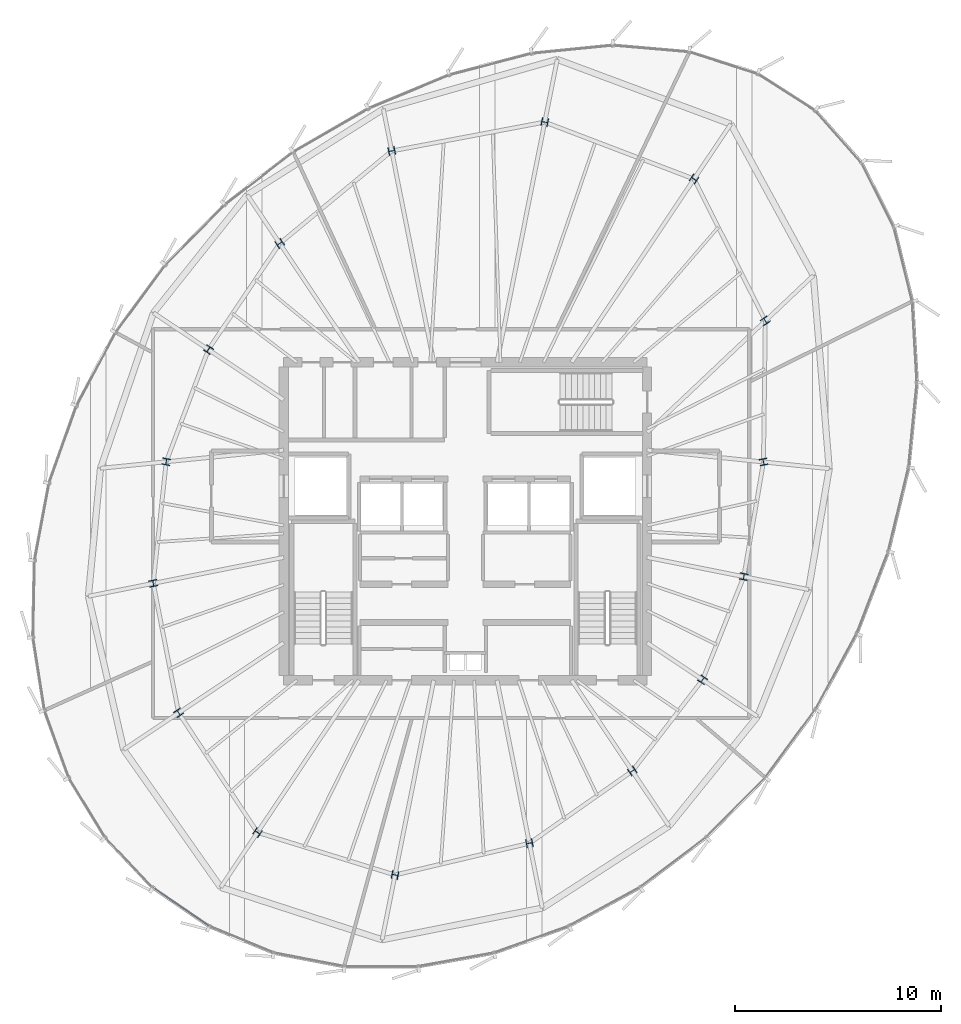
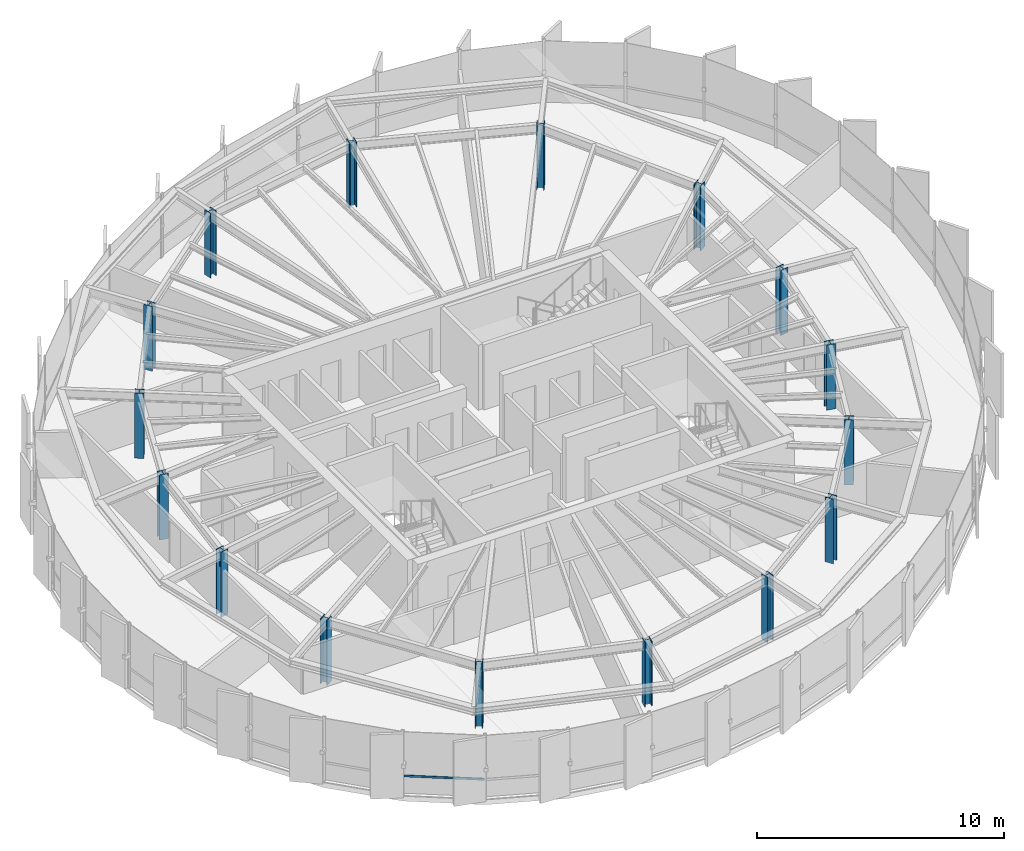
# One storey, part 1 of 33: 16 columns, 1 member, 1 element without a shape of its own.
"""IFC4 building model written with IfcOpenShell, lengths in metres."""

import ifcopenshell
import ifcopenshell.guid

model = None  # the IFC model being written
_history = None  # IfcOwnerHistory: only IFC2X3 demands one
_inside = {}  # id of a spatial element -> (the spatial element, [elements in it])
_under = {}  # id of a project, library or spatial element -> (it, [spatial elements below it])
_declared = {}  # id of a project -> (the project, [libraries it declares])
_typed = {}  # id of a type object -> (the type object, [elements of that type])
_made_of = {}  # id of a material, layer set ... -> (it, [elements and type objects made of it])


def new_model(schema):
    """Start an empty IFC model of exactly this schema.

    Asked for "IFC4X3", IfcOpenShell would pick the latest addendum, in which some entities
    have other attributes; the version numbers below select the first issue.
    IFC2X3 requires an IfcOwnerHistory on every rooted entity: one is made here for all.
    """
    global model, _history
    if schema == "IFC4X3":
        model = ifcopenshell.file(schema_version=(4, 3, 0, 0))
    else:
        model = ifcopenshell.file(schema=schema)
    _inside.clear()
    _under.clear()
    _declared.clear()
    _typed.clear()
    _made_of.clear()
    _history = None
    if model.schema == "IFC2X3":
        org = make("IfcOrganization", Name="unknown")
        user = make(
            "IfcPersonAndOrganization",
            ThePerson=make("IfcPerson", FamilyName="unknown"),
            TheOrganization=org,
        )
        app = make(
            "IfcApplication",
            ApplicationDeveloper=org,
            Version="unknown",
            ApplicationFullName="unknown",
            ApplicationIdentifier="unknown",
        )
        _history = make(
            "IfcOwnerHistory",
            OwningUser=user,
            OwningApplication=app,
            ChangeAction="ADDED",
            CreationDate=0,
        )
    return model


def make(cls, **values):
    """One entity of the class cls with the attributes given. An attribute that is None is left unset."""
    return model.create_entity(
        cls, **{name: value for name, value in values.items() if value is not None}
    )


def rooted(cls, **values):
    """An entity with a GlobalId (a new one), such as an element, a storey or a relation."""
    return make(cls, GlobalId=ifcopenshell.guid.new(), OwnerHistory=_history, **values)


def si_unit(unit_type, name, prefix=None):
    """IfcSIUnit, for example si_unit("LENGTHUNIT", "METRE", prefix="MILLI")."""
    return make("IfcSIUnit", UnitType=unit_type, Prefix=prefix, Name=name)


def assignment(units):
    """IfcUnitAssignment: the units of a project."""
    return None if units is None else make("IfcUnitAssignment", Units=units)


def point(xyz):
    """IfcCartesianPoint."""
    return None if xyz is None else make("IfcCartesianPoint", Coordinates=xyz)


def direction(xyz):
    """IfcDirection."""
    return None if xyz is None else make("IfcDirection", DirectionRatios=xyz)


def frame(location, z_axis=None, x_axis=None):
    """IfcAxis2Placement3D, a coordinate frame: its origin and axes. An axis left out is left unset."""
    return make(
        "IfcAxis2Placement3D",
        Location=point(location),
        Axis=direction(z_axis),
        RefDirection=direction(x_axis),
    )


def frame_2d(location, x_axis=None):
    """IfcAxis2Placement2D, a coordinate frame in the plane: its origin and x axis."""
    return make(
        "IfcAxis2Placement2D", Location=point(location), RefDirection=direction(x_axis)
    )


def origin():
    """The frame at (0, 0, 0) with its axes left unset."""
    return frame((0.0, 0.0, 0.0))


def origin_2d():
    """The frame at (0, 0) in the plane with its x axis left unset."""
    return frame_2d((0.0, 0.0))


def place(relative_to, where):
    """IfcLocalPlacement: puts the frame where relative to a parent placement (None: the world)."""
    return make(
        "IfcLocalPlacement", PlacementRelTo=relative_to, RelativePlacement=where
    )


def context(
    kind, dimensions, precision=None, world=None, true_north=None, identifier=None
):
    """IfcGeometricRepresentationContext, for example the 3D "Model" context."""
    return make(
        "IfcGeometricRepresentationContext",
        ContextIdentifier=identifier,
        ContextType=kind,
        CoordinateSpaceDimension=dimensions,
        Precision=precision,
        WorldCoordinateSystem=world,
        TrueNorth=true_north,
    )


def subcontext(parent, identifier, kind, view, scale=None):
    """IfcGeometricRepresentationSubContext, for example "Body" below "Model"."""
    return make(
        "IfcGeometricRepresentationSubContext",
        ContextIdentifier=identifier,
        ContextType=kind,
        ParentContext=parent,
        TargetScale=scale,
        TargetView=view,
    )


def project(units=None, contexts=None):
    """IfcProject with its units and contexts."""
    return rooted(
        "IfcProject",
        Name="project",
        RepresentationContexts=contexts,
        UnitsInContext=assignment(units),
    )


def spatial(cls, under=None, at=None, **own):
    """A site, building, storey or space (cls), placed at a placement, below another one or the project."""
    s = rooted(cls, ObjectPlacement=at, **own)
    if under is not None:
        _under.setdefault(under.id(), (under, []))[1].append(s)
    return s


def profile(cls, at=None, kind="AREA", **sizes):
    """A parametric profile (cls). Its sizes go by their IFC names, for example OverallWidth=200.0."""
    return make(cls, ProfileType=kind, Position=at, **sizes)


def hollow_rectangle(**sizes):
    """IfcRectangleHollowProfileDef."""
    return profile("IfcRectangleHollowProfileDef", **sizes)


def i_section(**sizes):
    """IfcIShapeProfileDef."""
    return profile("IfcIShapeProfileDef", **sizes)


def extrude(swept, where, along, depth):
    """IfcExtrudedAreaSolid: the profile swept, set in the frame where, extruded along a direction by depth."""
    return make(
        "IfcExtrudedAreaSolid",
        SweptArea=swept,
        Position=where,
        ExtrudedDirection=direction(along),
        Depth=depth,
    )


def shape(context_of_items, identifier, shape_type, items):
    """IfcShapeRepresentation: the items that make up one representation, for example the "Body"."""
    return make(
        "IfcShapeRepresentation",
        ContextOfItems=context_of_items,
        RepresentationIdentifier=identifier,
        RepresentationType=shape_type,
        Items=items,
    )


def source(mapping_origin, context_of_items, identifier, shape_type, items):
    """IfcRepresentationMap: a shape defined once, which mapped items show again and again."""
    return make(
        "IfcRepresentationMap",
        MappingOrigin=mapping_origin,
        MappedRepresentation=shape(context_of_items, identifier, shape_type, items),
    )


def transform(
    local_origin,
    x_axis=None,
    y_axis=None,
    z_axis=None,
    scale=None,
    scale2=None,
    scale3=None,
    uniform=True,
):
    """IfcCartesianTransformationOperator3D, or its non-uniform kind. x_axis, y_axis, z_axis: its Axis1, 2, 3."""
    if uniform:
        return make(
            "IfcCartesianTransformationOperator3D",
            Axis1=direction(x_axis),
            Axis2=direction(y_axis),
            LocalOrigin=point(local_origin),
            Scale=scale,
            Axis3=direction(z_axis),
        )
    return make(
        "IfcCartesianTransformationOperator3DnonUniform",
        Axis1=direction(x_axis),
        Axis2=direction(y_axis),
        LocalOrigin=point(local_origin),
        Scale=scale,
        Axis3=direction(z_axis),
        Scale2=scale2,
        Scale3=scale3,
    )


def mapped(mapping_source, mapping_target):
    """IfcMappedItem: shows the shape of a source again, moved by a transform."""
    return make(
        "IfcMappedItem", MappingSource=mapping_source, MappingTarget=mapping_target
    )


def material(Name=None, Category=None):
    """IfcMaterial."""
    return make("IfcMaterial", Name=Name, Category=Category)


def layer(
    of_material, thickness, ventilated=None, Name=None, Category=None, Priority=None
):
    """IfcMaterialLayer: one layer of a wall or slab, of a material (None: an air gap)."""
    return make(
        "IfcMaterialLayer",
        Material=of_material,
        LayerThickness=thickness,
        IsVentilated=ventilated,
        Name=Name,
        Category=Category,
        Priority=Priority,
    )


def layer_set(layers, Name=None):
    """IfcMaterialLayerSet."""
    return make("IfcMaterialLayerSet", MaterialLayers=layers, LayerSetName=Name)


def material_profile(
    of_material, cross_section, Name=None, Category=None, Priority=None
):
    """IfcMaterialProfile: a cross section and its material."""
    return make(
        "IfcMaterialProfile",
        Name=Name,
        Material=of_material,
        Profile=cross_section,
        Priority=Priority,
        Category=Category,
    )


def profile_set(profiles, Name=None, composite=None):
    """IfcMaterialProfileSet."""
    return make(
        "IfcMaterialProfileSet",
        Name=Name,
        MaterialProfiles=profiles,
        CompositeProfile=composite,
    )


def made_of(thing, what):
    """Note that an element or type object is made of a material, layer set ...; save() writes the relation."""
    if what is not None:
        _made_of.setdefault(what.id(), (what, []))[1].append(thing)
    return thing


def type_object(cls, material=None, **own):
    """A type object (cls), such as IfcWallType, which elements share."""
    return made_of(rooted(cls, **own), material)


def element(
    cls,
    number,
    at=None,
    inside=None,
    cuts=None,
    type_object=None,
    material=None,
    context=None,
    identifier="Body",
    shape_type=None,
    held_by="IfcProductDefinitionShape",
    body=None,
    shapes=None,
    **own,
):
    """One element of the class cls, such as IfcWall. Its Tag is "e" and its number.

    at: its placement. inside: the storey or other place that contains it. cuts: it is an
    opening in that element (IfcRelVoidsElement). A single representation is given by context,
    identifier, shape_type and body (its items); several are given by shapes. held_by: the class
    of the entity that holds the representations. save() writes the other relations.
    """
    e = rooted(cls, Tag="e%d" % number, ObjectPlacement=at, **own)
    if body is not None:
        shapes = [shape(context, identifier, shape_type, body)]
    if shapes is not None:
        e.Representation = make(held_by, Representations=shapes)
    if inside is not None:
        _inside.setdefault(inside.id(), (inside, []))[1].append(e)
    if cuts is not None:
        rooted(
            "IfcRelVoidsElement", RelatingBuildingElement=cuts, RelatedOpeningElement=e
        )
    if type_object is not None:
        _typed.setdefault(type_object.id(), (type_object, []))[1].append(e)
    return made_of(e, material)


def aggregate(whole, parts):
    """IfcRelAggregates: a whole, such as a stair, and the parts it consists of."""
    return rooted("IfcRelAggregates", RelatingObject=whole, RelatedObjects=parts)


def save(model, path):
    """Write the relations noted so far, then the file.

    IfcRelAggregates (storeys below a building ...), IfcRelContainedInSpatialStructure (elements
    in a storey), IfcRelDefinesByType, IfcRelAssociatesMaterial and IfcRelDeclares: one each for
    every whole, place, type object, material and project.
    """
    for whole, parts in _under.values():
        aggregate(whole, parts)
    for where, things in _inside.values():
        rooted(
            "IfcRelContainedInSpatialStructure",
            RelatedElements=things,
            RelatingStructure=where,
        )
    for kind, things in _typed.values():
        rooted("IfcRelDefinesByType", RelatedObjects=things, RelatingType=kind)
    for what, things in _made_of.values():
        rooted("IfcRelAssociatesMaterial", RelatedObjects=things, RelatingMaterial=what)
    for by, libraries in _declared.values():
        rooted("IfcRelDeclares", RelatingContext=by, RelatedDefinitions=libraries)
    model.write(path)


model = new_model("IFC4")

# Units and contexts
model_context = context("Model", 3, precision=1e-05, world=origin(), true_north=direction((0.0, 1.0)))
body_context = subcontext(model_context, "Body", "Model", "MODEL_VIEW")
ifc_project = project(units=[si_unit("LENGTHUNIT", "METRE"), si_unit("AREAUNIT", "SQUARE_METRE"), si_unit("VOLUMEUNIT", "CUBIC_METRE"), si_unit("PLANEANGLEUNIT", "RADIAN"), si_unit("MASSUNIT", "GRAM", prefix="KILO"), si_unit("THERMODYNAMICTEMPERATUREUNIT", "KELVIN")], contexts=[model_context])

# Site, building, storey
site_placement = place(None, origin())
site = spatial("IfcSite", under=ifc_project, at=site_placement, CompositionType="ELEMENT")
building_placement = place(site_placement, origin())
building = spatial("IfcBuilding", under=site, at=building_placement, Name="Kethvar Cultural Tower", CompositionType="ELEMENT")
storey_placement = place(building_placement, frame((0.0, 0.0, 235.300048828125)))
storey = spatial("IfcBuildingStorey", under=building, at=storey_placement, Name="L61", CompositionType="ELEMENT", Elevation=235.300048828125)

# Columns
ifc_material_1 = material(Name="Steel S460M", Category="steel")
ifc_material_profile_1 = material_profile(ifc_material_1, i_section(OverallWidth=0.386962890625, OverallDepth=0.31591796875, WebThickness=0.0185546875, FlangeThickness=0.028076171875, FilletRadius=0.014892578125, at=origin_2d()), Name="Steel S460M — HD400x382")
ifc_profile_set_1 = profile_set([ifc_material_profile_1], Name="Steel S460M — HD400x382")
column_type = type_object("IfcColumnType", Name="COL-HD382", PredefinedType="COLUMN", material=ifc_profile_set_1)
shared_shape_1 = source(origin(), body_context, "Body", "SweptSolid", [
    extrude(i_section(OverallWidth=0.386962890625, OverallDepth=0.31591796875, WebThickness=0.0185546875, FlangeThickness=0.028076171875, FilletRadius=0.014892578125, at=origin_2d()), origin(), (0.0, 0.0, 1.0), 3.2099609375),
])
for number, where, z_axis, x_axis, name in (
    (1, (61.237060546875, 30.671630859375, 0.0), (0.0, 0.0, 1.0), (0.980785280403, 0.195090322016, 0.0), "L61 Mega-Column MC-01"),
    (2, (61.32568359375, 37.505859375, 0.0), (0.0, 0.0, 1.0), (0.831469612303, 0.55557023302, 0.0), "L61 Mega-Column MC-02"),
    (3, (57.875244140625, 44.375, 0.0), (0.0, 0.0, 1.0), (0.55557023302, 0.831469612303, 0.0), "L61 Mega-Column MC-03"),
    (4, (50.645263671875, 47.131591796875, 0.0), (0.0, 0.0, 1.0), (0.195090322016, 0.980785280403, 0.0), "L61 Mega-Column MC-04"),
    (5, (43.23291015625, 45.732421875, 0.0), (0.0, 0.0, 1.0), (-0.195090322016, 0.980785280403, 0.0), "L61 Mega-Column MC-05"),
    (6, (37.8095703125, 41.255126953125, 0.0), (0.0, 0.0, 1.0), (-0.55557023302, 0.831469612303, 0.0), "L61 Mega-Column MC-06"),
    (7, (34.35595703125, 36.114990234375, 0.0), (0.0, 0.0, 1.0), (-0.831469612303, 0.55557023302, 0.0), "L61 Mega-Column MC-07"),
    (8, (32.3125, 30.681884765625, 0.0), (0.0, 0.0, 1.0), (-0.980785280403, 0.195090322016, 0.0), "L61 Mega-Column MC-08"),
    (9, (31.68310546875, 24.79296875, 0.0), (0.0, 0.0, 1.0), (-0.980785280403, -0.195090322016, 0.0), "L61 Mega-Column MC-09"),
    (10, (32.912841796875, 18.52099609375, 0.0), (0.0, 0.0, 1.0), (-0.831469612303, -0.55557023302, 0.0), "L61 Mega-Column MC-10"),
    (11, (36.731201171875, 12.73095703125, 0.0), (0.0, 0.0, 1.0), (-0.55557023302, -0.831469612303, 0.0), "L61 Mega-Column MC-11"),
    (12, (43.392822265625, 10.67138671875, 0.0), (0.0, 0.0, 1.0), (-0.195090322016, -0.980785280403, 0.0), "L61 Mega-Column MC-12"),
    (13, (49.901611328125, 12.206787109375, 0.0), (0.0, 0.0, 1.0), (0.195090322016, -0.980785280403, 0.0), "L61 Mega-Column MC-13"),
    (14, (54.885009765625, 15.7001953125, 0.0), (0.0, 0.0, 1.0), (0.55557023302, -0.831469612303, 0.0), "L61 Mega-Column MC-14"),
    (15, (58.287109375, 20.12451171875, 0.0), (0.0, 0.0, 1.0), (0.831469612303, -0.55557023302, 0.0), "L61 Mega-Column MC-15"),
    (16, (60.28369140625, 25.117919921875, 0.0), (0.0, 0.0, 1.0), (0.980785280403, -0.195090322016, 0.0), "L61 Mega-Column MC-16"),
):
    element("IfcColumn", number, at=place(storey_placement, frame(where, z_axis=z_axis, x_axis=x_axis)), inside=storey, type_object=column_type, Name=name, PredefinedType="COLUMN", context=body_context, shape_type="MappedRepresentation", body=[
        mapped(shared_shape_1, transform((0.0, 0.0, 0.0), scale=1.0)),
    ])

# Curtain wall, member
ifc_material_2 = material(Name="Aluminium 6063-T6", Category="aluminium")
ifc_layer = layer(ifc_material_2, 0.179931640625, Name="Aluminium 6063-T6", Category="aluminium")
ifc_layer_set = layer_set([ifc_layer], Name="Aluminium 6063-T6 (180 mm)")
curtain_wall_type = type_object("IfcCurtainWallType", Name="CW-SYS-05-Z56", PredefinedType="NOTDEFINED", material=ifc_layer_set)
curtain_wall_placement = place(storey_placement, origin())
curtain_wall = element("IfcCurtainWall", 17, at=curtain_wall_placement, inside=storey, type_object=curtain_wall_type, Name="L61 Curtain Wall Run 04", PredefinedType="NOTDEFINED")
ifc_material_profile_2 = material_profile(ifc_material_2, hollow_rectangle(XDim=0.050048828125, YDim=0.10009765625, WallThickness=0.00390625, at=origin_2d()), Name="Aluminium 6063-T6 — RHS100x50x4")
ifc_profile_set_2 = profile_set([ifc_material_profile_2], Name="Aluminium 6063-T6 — RHS100x50x4")
member_type = type_object("IfcMemberType", Name="CW-SYS-05-Z56-TRN", PredefinedType="USERDEFINED", material=ifc_profile_set_2)
shared_shape_2 = source(origin(), body_context, "Body", "SweptSolid", [
    extrude(hollow_rectangle(XDim=0.050048828125, YDim=0.10009765625, WallThickness=0.00390625, at=origin_2d()), origin(), (0.0, 0.0, 1.0), 3.272705078125),
])
member_placement = place(storey_placement, frame((31.6826171875, 10.055419921875, 0.949951171875), z_axis=(0.825041858494, -0.565071616464, 0.0), x_axis=(0.565071616464, 0.825041858494, 0.0)))
member = element("IfcMember", 18, at=member_placement, type_object=member_type, Name="CW-L61-R04 Transom 1", ObjectType="TRANSOM", PredefinedType="USERDEFINED", context=body_context, shape_type="MappedRepresentation", body=[
    mapped(shared_shape_2, transform((0.0, 0.0, 0.0), scale=1.0)),
])
aggregate(curtain_wall, [member])

save(model, "model.ifc")
